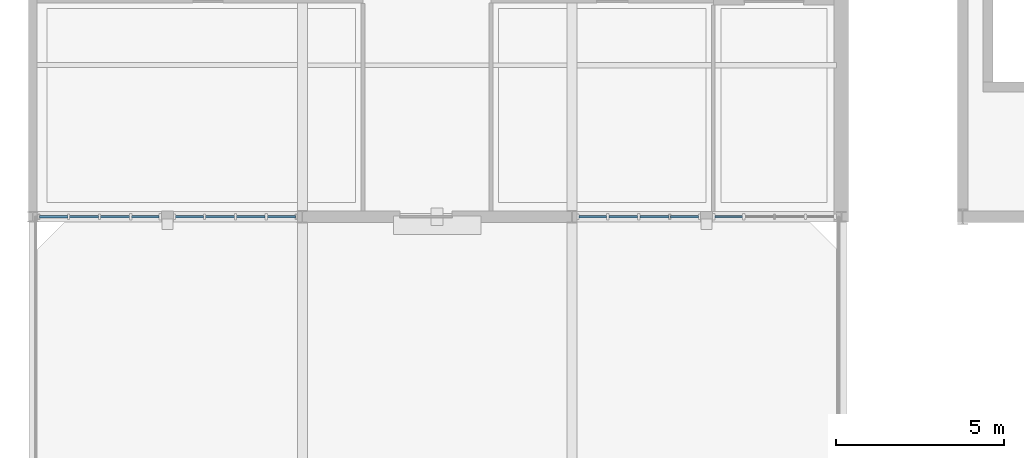
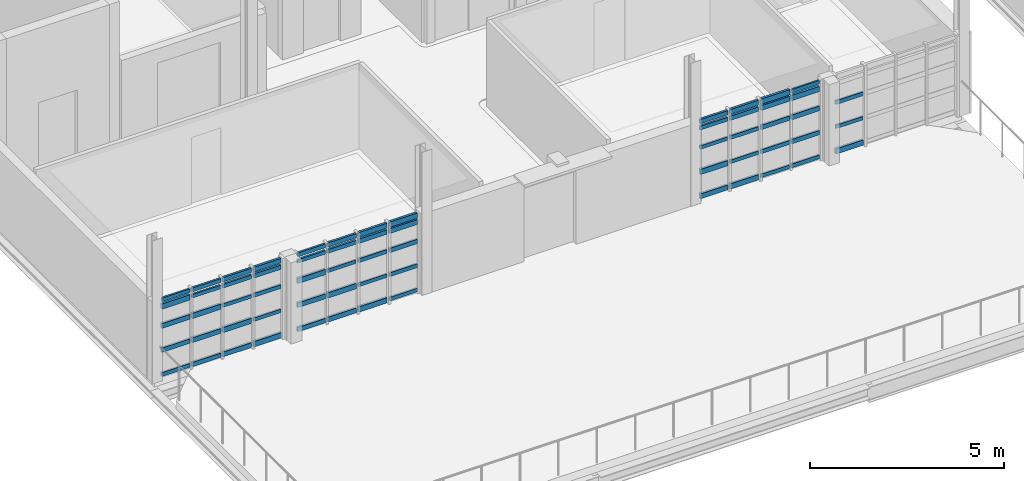
# One storey, part 17 of 44: 63 members, 4 elements without a shape of their own.
"""IFC4 building model written with IfcOpenShell, lengths in metres."""

from ifc_helpers import new_model, si_unit, direction, frame, origin, origin_2d, place, context, subcontext, project, spatial, rectangle, extrude, material, material_profile, profile_set, type_object, element, aggregate, save


model = new_model("IFC4")

# Units and contexts
model_context = context("Model", 3, precision=1e-05, world=origin(), true_north=direction((0.0, 1.0)))
body_context = subcontext(model_context, "Body", "Model", "MODEL_VIEW")
ifc_project = project(units=[si_unit("LENGTHUNIT", "METRE"), si_unit("AREAUNIT", "SQUARE_METRE"), si_unit("VOLUMEUNIT", "CUBIC_METRE"), si_unit("PLANEANGLEUNIT", "RADIAN"), si_unit("MASSUNIT", "GRAM", prefix="KILO")], contexts=[model_context])

# Site, building, storey
site_placement = place(None, origin())
site = spatial("IfcSite", under=ifc_project, at=site_placement, CompositionType="ELEMENT")
building_placement = place(site_placement, origin())
building = spatial("IfcBuilding", under=site, at=building_placement, Name="Serraforn Aerial Cableway Station", CompositionType="ELEMENT")
storey_placement = place(building_placement, frame((0.0, 0.0, 13.800048828125)))
storey = spatial("IfcBuildingStorey", under=building, at=storey_placement, Name="L03", CompositionType="ELEMENT", Elevation=13.800048828125)

# Curtain wall, members
ifc_material_1 = material(Name="Anodised bronze unitised curtain wall")
curtain_wall_type_1 = type_object("IfcCurtainWallType", Name="CW-SYS-7", PredefinedType="USERDEFINED", material=ifc_material_1)
curtain_wall_1_placement = place(storey_placement, origin())
curtain_wall_1 = element("IfcCurtainWall", 1, at=curtain_wall_1_placement, inside=storey, type_object=curtain_wall_type_1, Name="Unitised Curtain Wall CW-W-L03-S1A", ObjectType="UNITISED CURTAIN WALL", PredefinedType="USERDEFINED")
ifc_material_2 = material(Name="Anodised bronze extruded aluminium", Category="aluminium")
ifc_material_profile_1 = material_profile(ifc_material_2, rectangle(XDim=0.054931640625, YDim=0.110107421875, at=origin_2d()), Name="CW TRANSOM 55x110")
ifc_profile_set_1 = profile_set([ifc_material_profile_1], Name="Anodised bronze extruded aluminium")
member_type_1 = type_object("IfcMemberType", Name="CW-TRN-1", PredefinedType="USERDEFINED", material=ifc_profile_set_1)
member_1_placement = place(storey_placement, frame((0.200927734375, 18.0, 2.447998046875), z_axis=(1.0, 0.0, 0.0), x_axis=(0.0, 1.0, 0.0)))
member_1 = element("IfcMember", 2, at=member_1_placement, type_object=member_type_1, Name="Curtain Wall Transom CW-W-L03-S1A-T1-5", ObjectType="TRANSOM", PredefinedType="USERDEFINED", context=body_context, shape_type="SweptSolid", body=[
    extrude(rectangle(XDim=0.054931640625, YDim=0.110107421875, at=origin_2d()), origin(), (0.0, 0.0, 1.0), 0.837158203125),
])
member_2_placement = place(storey_placement, frame((1.093994140625, 18.0, 2.243896484375), z_axis=(1.0, 0.0, 0.0), x_axis=(0.0, 1.0, 0.0)))
member_2 = element("IfcMember", 3, at=member_2_placement, type_object=member_type_1, Name="Curtain Wall Transom CW-W-L03-S1A-T2-4", ObjectType="TRANSOM", PredefinedType="USERDEFINED", context=body_context, shape_type="SweptSolid", body=[
    extrude(rectangle(XDim=0.054931640625, YDim=0.110107421875, at=origin_2d()), origin(), (0.0, 0.0, 1.0), 0.859619140625),
])
member_3_placement = place(storey_placement, frame((2.014404296875, 18.0, 1.6318359375), z_axis=(1.0, 0.0, 0.0), x_axis=(0.0, 1.0, 0.0)))
member_3 = element("IfcMember", 4, at=member_3_placement, type_object=member_type_1, Name="Curtain Wall Transom CW-W-L03-S1A-T3-3", ObjectType="TRANSOM", PredefinedType="USERDEFINED", context=body_context, shape_type="SweptSolid", body=[
    extrude(rectangle(XDim=0.054931640625, YDim=0.110107421875, at=origin_2d()), origin(), (0.0, 0.0, 1.0), 0.8544921875),
])
member_4_placement = place(storey_placement, frame((2.93505859375, 18.0, 0.866943359375), z_axis=(1.0, 0.0, 0.0), x_axis=(0.0, 1.0, 0.0)))
member_4 = element("IfcMember", 5, at=member_4_placement, type_object=member_type_1, Name="Curtain Wall Transom CW-W-L03-S1A-T4-2", ObjectType="TRANSOM", PredefinedType="USERDEFINED", context=body_context, shape_type="SweptSolid", body=[
    extrude(rectangle(XDim=0.054931640625, YDim=0.110107421875, at=origin_2d()), origin(), (0.0, 0.0, 1.0), 0.81201171875),
])

curtain_wall_type_2 = type_object("IfcCurtainWallType", Name="CW-SYS-8", PredefinedType="USERDEFINED", material=ifc_material_1)
curtain_wall_2_placement = place(storey_placement, origin())
curtain_wall_2 = element("IfcCurtainWall", 6, at=curtain_wall_2_placement, inside=storey, type_object=curtain_wall_type_2, Name="Unitised Curtain Wall CW-W-L03-S1B", ObjectType="UNITISED CURTAIN WALL", PredefinedType="USERDEFINED")
member_5_placement = place(storey_placement, frame((4.238037109375, 18.0, 2.243896484375), z_axis=(1.0, 0.0, 0.0), x_axis=(0.0, 1.0, 0.0)))
member_5 = element("IfcMember", 7, at=member_5_placement, type_object=member_type_1, Name="Curtain Wall Transom CW-W-L03-S1B-T1-4", ObjectType="TRANSOM", PredefinedType="USERDEFINED", context=body_context, shape_type="SweptSolid", body=[
    extrude(rectangle(XDim=0.054931640625, YDim=0.110107421875, at=origin_2d()), origin(), (0.0, 0.0, 1.0), 0.829345703125),
])
member_6_placement = place(storey_placement, frame((5.12841796875, 18.0, 1.6318359375), z_axis=(1.0, 0.0, 0.0), x_axis=(0.0, 1.0, 0.0)))
member_6 = element("IfcMember", 8, at=member_6_placement, type_object=member_type_1, Name="Curtain Wall Transom CW-W-L03-S1B-T2-3", ObjectType="TRANSOM", PredefinedType="USERDEFINED", context=body_context, shape_type="SweptSolid", body=[
    extrude(rectangle(XDim=0.054931640625, YDim=0.110107421875, at=origin_2d()), origin(), (0.0, 0.0, 1.0), 0.8544921875),
])
member_7_placement = place(storey_placement, frame((6.049072265625, 18.0, 0.866943359375), z_axis=(1.0, 0.0, 0.0), x_axis=(0.0, 1.0, 0.0)))
member_7 = element("IfcMember", 9, at=member_7_placement, type_object=member_type_1, Name="Curtain Wall Transom CW-W-L03-S1B-T3-2", ObjectType="TRANSOM", PredefinedType="USERDEFINED", context=body_context, shape_type="SweptSolid", body=[
    extrude(rectangle(XDim=0.054931640625, YDim=0.110107421875, at=origin_2d()), origin(), (0.0, 0.0, 1.0), 0.849365234375),
])
member_8_placement = place(storey_placement, frame((6.969482421875, 18.0, 0.10205078125), z_axis=(1.0, 0.0, 0.0), x_axis=(0.0, 1.0, 0.0)))
member_8 = element("IfcMember", 10, at=member_8_placement, type_object=member_type_1, Name="Curtain Wall Transom CW-W-L03-S1B-T4-1", ObjectType="TRANSOM", PredefinedType="USERDEFINED", context=body_context, shape_type="SweptSolid", body=[
    extrude(rectangle(XDim=0.054931640625, YDim=0.110107421875, at=origin_2d()), origin(), (0.0, 0.0, 1.0), 0.82958984375),
])

curtain_wall_type_3 = type_object("IfcCurtainWallType", Name="CW-SYS-9", PredefinedType="USERDEFINED", material=ifc_material_1)
curtain_wall_3_placement = place(storey_placement, origin())
curtain_wall_3 = element("IfcCurtainWall", 11, at=curtain_wall_3_placement, inside=storey, type_object=curtain_wall_type_3, Name="Unitised Curtain Wall CW-W-L03-S3A", ObjectType="UNITISED CURTAIN WALL", PredefinedType="USERDEFINED")
member_9_placement = place(storey_placement, frame((16.2109375, 18.0, 1.6318359375), z_axis=(1.0, 0.0, 0.0), x_axis=(0.0, 1.0, 0.0)))
member_9 = element("IfcMember", 12, at=member_9_placement, type_object=member_type_1, Name="Curtain Wall Transom CW-W-L03-S3A-T1-3", ObjectType="TRANSOM", PredefinedType="USERDEFINED", context=body_context, shape_type="SweptSolid", body=[
    extrude(rectangle(XDim=0.054931640625, YDim=0.110107421875, at=origin_2d()), origin(), (0.0, 0.0, 1.0), 0.822021484375),
])
member_10_placement = place(storey_placement, frame((17.09912109375, 18.0, 0.866943359375), z_axis=(1.0, 0.0, 0.0), x_axis=(0.0, 1.0, 0.0)))
member_10 = element("IfcMember", 13, at=member_10_placement, type_object=member_type_1, Name="Curtain Wall Transom CW-W-L03-S3A-T2-2", ObjectType="TRANSOM", PredefinedType="USERDEFINED", context=body_context, shape_type="SweptSolid", body=[
    extrude(rectangle(XDim=0.054931640625, YDim=0.110107421875, at=origin_2d()), origin(), (0.0, 0.0, 1.0), 0.849365234375),
])
member_11_placement = place(storey_placement, frame((18.01953125, 18.0, 0.10205078125), z_axis=(1.0, 0.0, 0.0), x_axis=(0.0, 1.0, 0.0)))
member_11 = element("IfcMember", 14, at=member_11_placement, type_object=member_type_1, Name="Curtain Wall Transom CW-W-L03-S3A-T3-1", ObjectType="TRANSOM", PredefinedType="USERDEFINED", context=body_context, shape_type="SweptSolid", body=[
    extrude(rectangle(XDim=0.054931640625, YDim=0.110107421875, at=origin_2d()), origin(), (0.0, 0.0, 1.0), 0.85693359375),
])
member_12_placement = place(storey_placement, frame((18.927490234375, 18.0, 2.447998046875), z_axis=(1.0, 0.0, 0.0), x_axis=(0.0, 1.0, 0.0)))
member_12 = element("IfcMember", 15, at=member_12_placement, type_object=member_type_1, Name="Curtain Wall Transom CW-W-L03-S3A-T4-5", ObjectType="TRANSOM", PredefinedType="USERDEFINED", context=body_context, shape_type="SweptSolid", body=[
    extrude(rectangle(XDim=0.054931640625, YDim=0.110107421875, at=origin_2d()), origin(), (0.0, 0.0, 1.0), 0.83447265625),
])

# Curtain wall, member
curtain_wall_type_4 = type_object("IfcCurtainWallType", Name="CW-SYS-10", PredefinedType="USERDEFINED", material=ifc_material_1)
curtain_wall_4_placement = place(storey_placement, origin())
curtain_wall_4 = element("IfcCurtainWall", 16, at=curtain_wall_4_placement, inside=storey, type_object=curtain_wall_type_4, Name="Unitised Curtain Wall CW-W-L03-S3B", ObjectType="UNITISED CURTAIN WALL", PredefinedType="USERDEFINED")
member_13_placement = place(storey_placement, frame((20.248046875, 18.0, 0.866943359375), z_axis=(1.0, 0.0, 0.0), x_axis=(0.0, 1.0, 0.0)))
member_13 = element("IfcMember", 17, at=member_13_placement, type_object=member_type_1, Name="Curtain Wall Transom CW-W-L03-S3B-T1-2", ObjectType="TRANSOM", PredefinedType="USERDEFINED", context=body_context, shape_type="SweptSolid", body=[
    extrude(rectangle(XDim=0.054931640625, YDim=0.110107421875, at=origin_2d()), origin(), (0.0, 0.0, 1.0), 0.814453125),
])

# Member
ifc_material_profile_2 = material_profile(ifc_material_2, rectangle(XDim=0.06005859375, YDim=0.1201171875, at=origin_2d()), Name="CW TRANSOM 60x120")
ifc_profile_set_2 = profile_set([ifc_material_profile_2], Name="Anodised bronze extruded aluminium")
member_type_2 = type_object("IfcMemberType", Name="CW-TRN-2", PredefinedType="USERDEFINED", material=ifc_profile_set_2)
member_14_placement = place(storey_placement, frame((0.200927734375, 18.0, 0.10205078125), z_axis=(1.0, 0.0, 0.0), x_axis=(0.0, 1.0, 0.0)))
member_14 = element("IfcMember", 18, at=member_14_placement, type_object=member_type_2, Name="Curtain Wall Transom CW-W-L03-S1A-T1-1", ObjectType="TRANSOM", PredefinedType="USERDEFINED", context=body_context, shape_type="SweptSolid", body=[
    extrude(rectangle(XDim=0.06005859375, YDim=0.1201171875, at=origin_2d()), origin(), (0.0, 0.0, 1.0), 0.837158203125),
])

member_15_placement = place(storey_placement, frame((1.093994140625, 18.0, 2.447998046875), z_axis=(1.0, 0.0, 0.0), x_axis=(0.0, 1.0, 0.0)))
member_15 = element("IfcMember", 19, at=member_15_placement, type_object=member_type_2, Name="Curtain Wall Transom CW-W-L03-S1A-T2-5", ObjectType="TRANSOM", PredefinedType="USERDEFINED", context=body_context, shape_type="SweptSolid", body=[
    extrude(rectangle(XDim=0.06005859375, YDim=0.1201171875, at=origin_2d()), origin(), (0.0, 0.0, 1.0), 0.859619140625),
])

member_16_placement = place(storey_placement, frame((2.014404296875, 18.0, 2.243896484375), z_axis=(1.0, 0.0, 0.0), x_axis=(0.0, 1.0, 0.0)))
member_16 = element("IfcMember", 20, at=member_16_placement, type_object=member_type_2, Name="Curtain Wall Transom CW-W-L03-S1A-T3-4", ObjectType="TRANSOM", PredefinedType="USERDEFINED", context=body_context, shape_type="SweptSolid", body=[
    extrude(rectangle(XDim=0.06005859375, YDim=0.1201171875, at=origin_2d()), origin(), (0.0, 0.0, 1.0), 0.8544921875),
])

member_17_placement = place(storey_placement, frame((2.93505859375, 18.0, 1.6318359375), z_axis=(1.0, 0.0, 0.0), x_axis=(0.0, 1.0, 0.0)))
member_17 = element("IfcMember", 21, at=member_17_placement, type_object=member_type_2, Name="Curtain Wall Transom CW-W-L03-S1A-T4-3", ObjectType="TRANSOM", PredefinedType="USERDEFINED", context=body_context, shape_type="SweptSolid", body=[
    extrude(rectangle(XDim=0.06005859375, YDim=0.1201171875, at=origin_2d()), origin(), (0.0, 0.0, 1.0), 0.81201171875),
])

member_18_placement = place(storey_placement, frame((4.238037109375, 18.0, 2.447998046875), z_axis=(1.0, 0.0, 0.0), x_axis=(0.0, 1.0, 0.0)))
member_18 = element("IfcMember", 22, at=member_18_placement, type_object=member_type_2, Name="Curtain Wall Transom CW-W-L03-S1B-T1-5", ObjectType="TRANSOM", PredefinedType="USERDEFINED", context=body_context, shape_type="SweptSolid", body=[
    extrude(rectangle(XDim=0.06005859375, YDim=0.1201171875, at=origin_2d()), origin(), (0.0, 0.0, 1.0), 0.829345703125),
])

member_19_placement = place(storey_placement, frame((5.12841796875, 18.0, 2.243896484375), z_axis=(1.0, 0.0, 0.0), x_axis=(0.0, 1.0, 0.0)))
member_19 = element("IfcMember", 23, at=member_19_placement, type_object=member_type_2, Name="Curtain Wall Transom CW-W-L03-S1B-T2-4", ObjectType="TRANSOM", PredefinedType="USERDEFINED", context=body_context, shape_type="SweptSolid", body=[
    extrude(rectangle(XDim=0.06005859375, YDim=0.1201171875, at=origin_2d()), origin(), (0.0, 0.0, 1.0), 0.8544921875),
])

member_20_placement = place(storey_placement, frame((6.049072265625, 18.0, 1.6318359375), z_axis=(1.0, 0.0, 0.0), x_axis=(0.0, 1.0, 0.0)))
member_20 = element("IfcMember", 24, at=member_20_placement, type_object=member_type_2, Name="Curtain Wall Transom CW-W-L03-S1B-T3-3", ObjectType="TRANSOM", PredefinedType="USERDEFINED", context=body_context, shape_type="SweptSolid", body=[
    extrude(rectangle(XDim=0.06005859375, YDim=0.1201171875, at=origin_2d()), origin(), (0.0, 0.0, 1.0), 0.849365234375),
])

member_21_placement = place(storey_placement, frame((6.969482421875, 18.0, 0.866943359375), z_axis=(1.0, 0.0, 0.0), x_axis=(0.0, 1.0, 0.0)))
member_21 = element("IfcMember", 25, at=member_21_placement, type_object=member_type_2, Name="Curtain Wall Transom CW-W-L03-S1B-T4-2", ObjectType="TRANSOM", PredefinedType="USERDEFINED", context=body_context, shape_type="SweptSolid", body=[
    extrude(rectangle(XDim=0.06005859375, YDim=0.1201171875, at=origin_2d()), origin(), (0.0, 0.0, 1.0), 0.82958984375),
])

member_22_placement = place(storey_placement, frame((16.2109375, 18.0, 2.243896484375), z_axis=(1.0, 0.0, 0.0), x_axis=(0.0, 1.0, 0.0)))
member_22 = element("IfcMember", 26, at=member_22_placement, type_object=member_type_2, Name="Curtain Wall Transom CW-W-L03-S3A-T1-4", ObjectType="TRANSOM", PredefinedType="USERDEFINED", context=body_context, shape_type="SweptSolid", body=[
    extrude(rectangle(XDim=0.06005859375, YDim=0.1201171875, at=origin_2d()), origin(), (0.0, 0.0, 1.0), 0.822021484375),
])

member_23_placement = place(storey_placement, frame((17.09912109375, 18.0, 1.6318359375), z_axis=(1.0, 0.0, 0.0), x_axis=(0.0, 1.0, 0.0)))
member_23 = element("IfcMember", 27, at=member_23_placement, type_object=member_type_2, Name="Curtain Wall Transom CW-W-L03-S3A-T2-3", ObjectType="TRANSOM", PredefinedType="USERDEFINED", context=body_context, shape_type="SweptSolid", body=[
    extrude(rectangle(XDim=0.06005859375, YDim=0.1201171875, at=origin_2d()), origin(), (0.0, 0.0, 1.0), 0.849365234375),
])

member_24_placement = place(storey_placement, frame((18.01953125, 18.0, 0.866943359375), z_axis=(1.0, 0.0, 0.0), x_axis=(0.0, 1.0, 0.0)))
member_24 = element("IfcMember", 28, at=member_24_placement, type_object=member_type_2, Name="Curtain Wall Transom CW-W-L03-S3A-T3-2", ObjectType="TRANSOM", PredefinedType="USERDEFINED", context=body_context, shape_type="SweptSolid", body=[
    extrude(rectangle(XDim=0.06005859375, YDim=0.1201171875, at=origin_2d()), origin(), (0.0, 0.0, 1.0), 0.85693359375),
])

member_25_placement = place(storey_placement, frame((18.927490234375, 18.0, 0.10205078125), z_axis=(1.0, 0.0, 0.0), x_axis=(0.0, 1.0, 0.0)))
member_25 = element("IfcMember", 29, at=member_25_placement, type_object=member_type_2, Name="Curtain Wall Transom CW-W-L03-S3A-T4-1", ObjectType="TRANSOM", PredefinedType="USERDEFINED", context=body_context, shape_type="SweptSolid", body=[
    extrude(rectangle(XDim=0.06005859375, YDim=0.1201171875, at=origin_2d()), origin(), (0.0, 0.0, 1.0), 0.83447265625),
])

member_26_placement = place(storey_placement, frame((20.248046875, 18.0, 1.6318359375), z_axis=(1.0, 0.0, 0.0), x_axis=(0.0, 1.0, 0.0)))
member_26 = element("IfcMember", 30, at=member_26_placement, type_object=member_type_2, Name="Curtain Wall Transom CW-W-L03-S3B-T1-3", ObjectType="TRANSOM", PredefinedType="USERDEFINED", context=body_context, shape_type="SweptSolid", body=[
    extrude(rectangle(XDim=0.06005859375, YDim=0.1201171875, at=origin_2d()), origin(), (0.0, 0.0, 1.0), 0.814453125),
])

ifc_material_profile_3 = material_profile(ifc_material_2, rectangle(XDim=0.06494140625, YDim=0.135009765625, at=origin_2d()), Name="CW TRANSOM 65x135")
ifc_profile_set_3 = profile_set([ifc_material_profile_3], Name="Anodised bronze extruded aluminium")
member_type_3 = type_object("IfcMemberType", Name="CW-TRN-3", PredefinedType="USERDEFINED", material=ifc_profile_set_3)
member_27_placement = place(storey_placement, frame((0.200927734375, 18.0, 0.866943359375), z_axis=(1.0, 0.0, 0.0), x_axis=(0.0, 1.0, 0.0)))
member_27 = element("IfcMember", 31, at=member_27_placement, type_object=member_type_3, Name="Curtain Wall Transom CW-W-L03-S1A-T1-2", ObjectType="TRANSOM", PredefinedType="USERDEFINED", context=body_context, shape_type="SweptSolid", body=[
    extrude(rectangle(XDim=0.06494140625, YDim=0.135009765625, at=origin_2d()), origin(), (0.0, 0.0, 1.0), 0.837158203125),
])

member_28_placement = place(storey_placement, frame((1.093994140625, 18.0, 0.10205078125), z_axis=(1.0, 0.0, 0.0), x_axis=(0.0, 1.0, 0.0)))
member_28 = element("IfcMember", 32, at=member_28_placement, type_object=member_type_3, Name="Curtain Wall Transom CW-W-L03-S1A-T2-1", ObjectType="TRANSOM", PredefinedType="USERDEFINED", context=body_context, shape_type="SweptSolid", body=[
    extrude(rectangle(XDim=0.06494140625, YDim=0.135009765625, at=origin_2d()), origin(), (0.0, 0.0, 1.0), 0.859619140625),
])

member_29_placement = place(storey_placement, frame((2.014404296875, 18.0, 2.447998046875), z_axis=(1.0, 0.0, 0.0), x_axis=(0.0, 1.0, 0.0)))
member_29 = element("IfcMember", 33, at=member_29_placement, type_object=member_type_3, Name="Curtain Wall Transom CW-W-L03-S1A-T3-5", ObjectType="TRANSOM", PredefinedType="USERDEFINED", context=body_context, shape_type="SweptSolid", body=[
    extrude(rectangle(XDim=0.06494140625, YDim=0.135009765625, at=origin_2d()), origin(), (0.0, 0.0, 1.0), 0.8544921875),
])

member_30_placement = place(storey_placement, frame((2.93505859375, 18.0, 2.243896484375), z_axis=(1.0, 0.0, 0.0), x_axis=(0.0, 1.0, 0.0)))
member_30 = element("IfcMember", 34, at=member_30_placement, type_object=member_type_3, Name="Curtain Wall Transom CW-W-L03-S1A-T4-4", ObjectType="TRANSOM", PredefinedType="USERDEFINED", context=body_context, shape_type="SweptSolid", body=[
    extrude(rectangle(XDim=0.06494140625, YDim=0.135009765625, at=origin_2d()), origin(), (0.0, 0.0, 1.0), 0.81201171875),
])

member_31_placement = place(storey_placement, frame((4.238037109375, 18.0, 0.10205078125), z_axis=(1.0, 0.0, 0.0), x_axis=(0.0, 1.0, 0.0)))
member_31 = element("IfcMember", 35, at=member_31_placement, type_object=member_type_3, Name="Curtain Wall Transom CW-W-L03-S1B-T1-1", ObjectType="TRANSOM", PredefinedType="USERDEFINED", context=body_context, shape_type="SweptSolid", body=[
    extrude(rectangle(XDim=0.06494140625, YDim=0.135009765625, at=origin_2d()), origin(), (0.0, 0.0, 1.0), 0.829345703125),
])

member_32_placement = place(storey_placement, frame((5.12841796875, 18.0, 2.447998046875), z_axis=(1.0, 0.0, 0.0), x_axis=(0.0, 1.0, 0.0)))
member_32 = element("IfcMember", 36, at=member_32_placement, type_object=member_type_3, Name="Curtain Wall Transom CW-W-L03-S1B-T2-5", ObjectType="TRANSOM", PredefinedType="USERDEFINED", context=body_context, shape_type="SweptSolid", body=[
    extrude(rectangle(XDim=0.06494140625, YDim=0.135009765625, at=origin_2d()), origin(), (0.0, 0.0, 1.0), 0.8544921875),
])

member_33_placement = place(storey_placement, frame((6.049072265625, 18.0, 2.243896484375), z_axis=(1.0, 0.0, 0.0), x_axis=(0.0, 1.0, 0.0)))
member_33 = element("IfcMember", 37, at=member_33_placement, type_object=member_type_3, Name="Curtain Wall Transom CW-W-L03-S1B-T3-4", ObjectType="TRANSOM", PredefinedType="USERDEFINED", context=body_context, shape_type="SweptSolid", body=[
    extrude(rectangle(XDim=0.06494140625, YDim=0.135009765625, at=origin_2d()), origin(), (0.0, 0.0, 1.0), 0.849365234375),
])

member_34_placement = place(storey_placement, frame((6.969482421875, 18.0, 1.6318359375), z_axis=(1.0, 0.0, 0.0), x_axis=(0.0, 1.0, 0.0)))
member_34 = element("IfcMember", 38, at=member_34_placement, type_object=member_type_3, Name="Curtain Wall Transom CW-W-L03-S1B-T4-3", ObjectType="TRANSOM", PredefinedType="USERDEFINED", context=body_context, shape_type="SweptSolid", body=[
    extrude(rectangle(XDim=0.06494140625, YDim=0.135009765625, at=origin_2d()), origin(), (0.0, 0.0, 1.0), 0.82958984375),
])

member_35_placement = place(storey_placement, frame((16.2109375, 18.0, 2.447998046875), z_axis=(1.0, 0.0, 0.0), x_axis=(0.0, 1.0, 0.0)))
member_35 = element("IfcMember", 39, at=member_35_placement, type_object=member_type_3, Name="Curtain Wall Transom CW-W-L03-S3A-T1-5", ObjectType="TRANSOM", PredefinedType="USERDEFINED", context=body_context, shape_type="SweptSolid", body=[
    extrude(rectangle(XDim=0.06494140625, YDim=0.135009765625, at=origin_2d()), origin(), (0.0, 0.0, 1.0), 0.822021484375),
])

member_36_placement = place(storey_placement, frame((17.09912109375, 18.0, 2.243896484375), z_axis=(1.0, 0.0, 0.0), x_axis=(0.0, 1.0, 0.0)))
member_36 = element("IfcMember", 40, at=member_36_placement, type_object=member_type_3, Name="Curtain Wall Transom CW-W-L03-S3A-T2-4", ObjectType="TRANSOM", PredefinedType="USERDEFINED", context=body_context, shape_type="SweptSolid", body=[
    extrude(rectangle(XDim=0.06494140625, YDim=0.135009765625, at=origin_2d()), origin(), (0.0, 0.0, 1.0), 0.849365234375),
])

member_37_placement = place(storey_placement, frame((18.01953125, 18.0, 1.6318359375), z_axis=(1.0, 0.0, 0.0), x_axis=(0.0, 1.0, 0.0)))
member_37 = element("IfcMember", 41, at=member_37_placement, type_object=member_type_3, Name="Curtain Wall Transom CW-W-L03-S3A-T3-3", ObjectType="TRANSOM", PredefinedType="USERDEFINED", context=body_context, shape_type="SweptSolid", body=[
    extrude(rectangle(XDim=0.06494140625, YDim=0.135009765625, at=origin_2d()), origin(), (0.0, 0.0, 1.0), 0.85693359375),
])

member_38_placement = place(storey_placement, frame((18.927490234375, 18.0, 0.866943359375), z_axis=(1.0, 0.0, 0.0), x_axis=(0.0, 1.0, 0.0)))
member_38 = element("IfcMember", 42, at=member_38_placement, type_object=member_type_3, Name="Curtain Wall Transom CW-W-L03-S3A-T4-2", ObjectType="TRANSOM", PredefinedType="USERDEFINED", context=body_context, shape_type="SweptSolid", body=[
    extrude(rectangle(XDim=0.06494140625, YDim=0.135009765625, at=origin_2d()), origin(), (0.0, 0.0, 1.0), 0.83447265625),
])

ifc_material_profile_4 = material_profile(ifc_material_2, rectangle(XDim=0.070068359375, YDim=0.14990234375, at=origin_2d()), Name="CW TRANSOM 70x150")
ifc_profile_set_4 = profile_set([ifc_material_profile_4], Name="Anodised bronze extruded aluminium")
member_type_4 = type_object("IfcMemberType", Name="CW-TRN-4", PredefinedType="USERDEFINED", material=ifc_profile_set_4)
member_39_placement = place(storey_placement, frame((0.200927734375, 18.0, 1.6318359375), z_axis=(1.0, 0.0, 0.0), x_axis=(0.0, 1.0, 0.0)))
member_39 = element("IfcMember", 43, at=member_39_placement, type_object=member_type_4, Name="Curtain Wall Transom CW-W-L03-S1A-T1-3", ObjectType="TRANSOM", PredefinedType="USERDEFINED", context=body_context, shape_type="SweptSolid", body=[
    extrude(rectangle(XDim=0.070068359375, YDim=0.14990234375, at=origin_2d()), origin(), (0.0, 0.0, 1.0), 0.837158203125),
])

member_40_placement = place(storey_placement, frame((1.093994140625, 18.0, 0.866943359375), z_axis=(1.0, 0.0, 0.0), x_axis=(0.0, 1.0, 0.0)))
member_40 = element("IfcMember", 44, at=member_40_placement, type_object=member_type_4, Name="Curtain Wall Transom CW-W-L03-S1A-T2-2", ObjectType="TRANSOM", PredefinedType="USERDEFINED", context=body_context, shape_type="SweptSolid", body=[
    extrude(rectangle(XDim=0.070068359375, YDim=0.14990234375, at=origin_2d()), origin(), (0.0, 0.0, 1.0), 0.859619140625),
])

member_41_placement = place(storey_placement, frame((2.014404296875, 18.0, 0.10205078125), z_axis=(1.0, 0.0, 0.0), x_axis=(0.0, 1.0, 0.0)))
member_41 = element("IfcMember", 45, at=member_41_placement, type_object=member_type_4, Name="Curtain Wall Transom CW-W-L03-S1A-T3-1", ObjectType="TRANSOM", PredefinedType="USERDEFINED", context=body_context, shape_type="SweptSolid", body=[
    extrude(rectangle(XDim=0.070068359375, YDim=0.14990234375, at=origin_2d()), origin(), (0.0, 0.0, 1.0), 0.8544921875),
])

member_42_placement = place(storey_placement, frame((2.93505859375, 18.0, 2.447998046875), z_axis=(1.0, 0.0, 0.0), x_axis=(0.0, 1.0, 0.0)))
member_42 = element("IfcMember", 46, at=member_42_placement, type_object=member_type_4, Name="Curtain Wall Transom CW-W-L03-S1A-T4-5", ObjectType="TRANSOM", PredefinedType="USERDEFINED", context=body_context, shape_type="SweptSolid", body=[
    extrude(rectangle(XDim=0.070068359375, YDim=0.14990234375, at=origin_2d()), origin(), (0.0, 0.0, 1.0), 0.81201171875),
])

member_43_placement = place(storey_placement, frame((4.238037109375, 18.0, 0.866943359375), z_axis=(1.0, 0.0, 0.0), x_axis=(0.0, 1.0, 0.0)))
member_43 = element("IfcMember", 47, at=member_43_placement, type_object=member_type_4, Name="Curtain Wall Transom CW-W-L03-S1B-T1-2", ObjectType="TRANSOM", PredefinedType="USERDEFINED", context=body_context, shape_type="SweptSolid", body=[
    extrude(rectangle(XDim=0.070068359375, YDim=0.14990234375, at=origin_2d()), origin(), (0.0, 0.0, 1.0), 0.829345703125),
])

member_44_placement = place(storey_placement, frame((5.12841796875, 18.0, 0.10205078125), z_axis=(1.0, 0.0, 0.0), x_axis=(0.0, 1.0, 0.0)))
member_44 = element("IfcMember", 48, at=member_44_placement, type_object=member_type_4, Name="Curtain Wall Transom CW-W-L03-S1B-T2-1", ObjectType="TRANSOM", PredefinedType="USERDEFINED", context=body_context, shape_type="SweptSolid", body=[
    extrude(rectangle(XDim=0.070068359375, YDim=0.14990234375, at=origin_2d()), origin(), (0.0, 0.0, 1.0), 0.8544921875),
])

member_45_placement = place(storey_placement, frame((6.049072265625, 18.0, 2.447998046875), z_axis=(1.0, 0.0, 0.0), x_axis=(0.0, 1.0, 0.0)))
member_45 = element("IfcMember", 49, at=member_45_placement, type_object=member_type_4, Name="Curtain Wall Transom CW-W-L03-S1B-T3-5", ObjectType="TRANSOM", PredefinedType="USERDEFINED", context=body_context, shape_type="SweptSolid", body=[
    extrude(rectangle(XDim=0.070068359375, YDim=0.14990234375, at=origin_2d()), origin(), (0.0, 0.0, 1.0), 0.849365234375),
])

member_46_placement = place(storey_placement, frame((6.969482421875, 18.0, 2.243896484375), z_axis=(1.0, 0.0, 0.0), x_axis=(0.0, 1.0, 0.0)))
member_46 = element("IfcMember", 50, at=member_46_placement, type_object=member_type_4, Name="Curtain Wall Transom CW-W-L03-S1B-T4-4", ObjectType="TRANSOM", PredefinedType="USERDEFINED", context=body_context, shape_type="SweptSolid", body=[
    extrude(rectangle(XDim=0.070068359375, YDim=0.14990234375, at=origin_2d()), origin(), (0.0, 0.0, 1.0), 0.82958984375),
])

member_47_placement = place(storey_placement, frame((16.2109375, 18.0, 0.10205078125), z_axis=(1.0, 0.0, 0.0), x_axis=(0.0, 1.0, 0.0)))
member_47 = element("IfcMember", 51, at=member_47_placement, type_object=member_type_4, Name="Curtain Wall Transom CW-W-L03-S3A-T1-1", ObjectType="TRANSOM", PredefinedType="USERDEFINED", context=body_context, shape_type="SweptSolid", body=[
    extrude(rectangle(XDim=0.070068359375, YDim=0.14990234375, at=origin_2d()), origin(), (0.0, 0.0, 1.0), 0.822021484375),
])

member_48_placement = place(storey_placement, frame((17.09912109375, 18.0, 2.447998046875), z_axis=(1.0, 0.0, 0.0), x_axis=(0.0, 1.0, 0.0)))
member_48 = element("IfcMember", 52, at=member_48_placement, type_object=member_type_4, Name="Curtain Wall Transom CW-W-L03-S3A-T2-5", ObjectType="TRANSOM", PredefinedType="USERDEFINED", context=body_context, shape_type="SweptSolid", body=[
    extrude(rectangle(XDim=0.070068359375, YDim=0.14990234375, at=origin_2d()), origin(), (0.0, 0.0, 1.0), 0.849365234375),
])

member_49_placement = place(storey_placement, frame((18.01953125, 18.0, 2.243896484375), z_axis=(1.0, 0.0, 0.0), x_axis=(0.0, 1.0, 0.0)))
member_49 = element("IfcMember", 53, at=member_49_placement, type_object=member_type_4, Name="Curtain Wall Transom CW-W-L03-S3A-T3-4", ObjectType="TRANSOM", PredefinedType="USERDEFINED", context=body_context, shape_type="SweptSolid", body=[
    extrude(rectangle(XDim=0.070068359375, YDim=0.14990234375, at=origin_2d()), origin(), (0.0, 0.0, 1.0), 0.85693359375),
])

member_50_placement = place(storey_placement, frame((18.927490234375, 18.0, 1.6318359375), z_axis=(1.0, 0.0, 0.0), x_axis=(0.0, 1.0, 0.0)))
member_50 = element("IfcMember", 54, at=member_50_placement, type_object=member_type_4, Name="Curtain Wall Transom CW-W-L03-S3A-T4-3", ObjectType="TRANSOM", PredefinedType="USERDEFINED", context=body_context, shape_type="SweptSolid", body=[
    extrude(rectangle(XDim=0.070068359375, YDim=0.14990234375, at=origin_2d()), origin(), (0.0, 0.0, 1.0), 0.83447265625),
])

ifc_material_profile_5 = material_profile(ifc_material_2, rectangle(XDim=0.074951171875, YDim=0.1650390625, at=origin_2d()), Name="CW TRANSOM 75x165")
ifc_profile_set_5 = profile_set([ifc_material_profile_5], Name="Anodised bronze extruded aluminium")
member_type_5 = type_object("IfcMemberType", Name="CW-TRN-5", PredefinedType="USERDEFINED", material=ifc_profile_set_5)
member_51_placement = place(storey_placement, frame((0.200927734375, 18.0, 2.243896484375), z_axis=(1.0, 0.0, 0.0), x_axis=(0.0, 1.0, 0.0)))
member_51 = element("IfcMember", 55, at=member_51_placement, type_object=member_type_5, Name="Curtain Wall Transom CW-W-L03-S1A-T1-4", ObjectType="TRANSOM", PredefinedType="USERDEFINED", context=body_context, shape_type="SweptSolid", body=[
    extrude(rectangle(XDim=0.074951171875, YDim=0.1650390625, at=origin_2d()), origin(), (0.0, 0.0, 1.0), 0.837158203125),
])

member_52_placement = place(storey_placement, frame((1.093994140625, 18.0, 1.6318359375), z_axis=(1.0, 0.0, 0.0), x_axis=(0.0, 1.0, 0.0)))
member_52 = element("IfcMember", 56, at=member_52_placement, type_object=member_type_5, Name="Curtain Wall Transom CW-W-L03-S1A-T2-3", ObjectType="TRANSOM", PredefinedType="USERDEFINED", context=body_context, shape_type="SweptSolid", body=[
    extrude(rectangle(XDim=0.074951171875, YDim=0.1650390625, at=origin_2d()), origin(), (0.0, 0.0, 1.0), 0.859619140625),
])

member_53_placement = place(storey_placement, frame((2.014404296875, 18.0, 0.866943359375), z_axis=(1.0, 0.0, 0.0), x_axis=(0.0, 1.0, 0.0)))
member_53 = element("IfcMember", 57, at=member_53_placement, type_object=member_type_5, Name="Curtain Wall Transom CW-W-L03-S1A-T3-2", ObjectType="TRANSOM", PredefinedType="USERDEFINED", context=body_context, shape_type="SweptSolid", body=[
    extrude(rectangle(XDim=0.074951171875, YDim=0.1650390625, at=origin_2d()), origin(), (0.0, 0.0, 1.0), 0.8544921875),
])

member_54_placement = place(storey_placement, frame((2.93505859375, 18.0, 0.10205078125), z_axis=(1.0, 0.0, 0.0), x_axis=(0.0, 1.0, 0.0)))
member_54 = element("IfcMember", 58, at=member_54_placement, type_object=member_type_5, Name="Curtain Wall Transom CW-W-L03-S1A-T4-1", ObjectType="TRANSOM", PredefinedType="USERDEFINED", context=body_context, shape_type="SweptSolid", body=[
    extrude(rectangle(XDim=0.074951171875, YDim=0.1650390625, at=origin_2d()), origin(), (0.0, 0.0, 1.0), 0.81201171875),
])

aggregate(curtain_wall_1, [member_14, member_27, member_39, member_51, member_1, member_28, member_40, member_52, member_2, member_15, member_41, member_53, member_3, member_16, member_29, member_54, member_4, member_17, member_30, member_42])

member_55_placement = place(storey_placement, frame((4.238037109375, 18.0, 1.6318359375), z_axis=(1.0, 0.0, 0.0), x_axis=(0.0, 1.0, 0.0)))
member_55 = element("IfcMember", 59, at=member_55_placement, type_object=member_type_5, Name="Curtain Wall Transom CW-W-L03-S1B-T1-3", ObjectType="TRANSOM", PredefinedType="USERDEFINED", context=body_context, shape_type="SweptSolid", body=[
    extrude(rectangle(XDim=0.074951171875, YDim=0.1650390625, at=origin_2d()), origin(), (0.0, 0.0, 1.0), 0.829345703125),
])

member_56_placement = place(storey_placement, frame((5.12841796875, 18.0, 0.866943359375), z_axis=(1.0, 0.0, 0.0), x_axis=(0.0, 1.0, 0.0)))
member_56 = element("IfcMember", 60, at=member_56_placement, type_object=member_type_5, Name="Curtain Wall Transom CW-W-L03-S1B-T2-2", ObjectType="TRANSOM", PredefinedType="USERDEFINED", context=body_context, shape_type="SweptSolid", body=[
    extrude(rectangle(XDim=0.074951171875, YDim=0.1650390625, at=origin_2d()), origin(), (0.0, 0.0, 1.0), 0.8544921875),
])

member_57_placement = place(storey_placement, frame((6.049072265625, 18.0, 0.10205078125), z_axis=(1.0, 0.0, 0.0), x_axis=(0.0, 1.0, 0.0)))
member_57 = element("IfcMember", 61, at=member_57_placement, type_object=member_type_5, Name="Curtain Wall Transom CW-W-L03-S1B-T3-1", ObjectType="TRANSOM", PredefinedType="USERDEFINED", context=body_context, shape_type="SweptSolid", body=[
    extrude(rectangle(XDim=0.074951171875, YDim=0.1650390625, at=origin_2d()), origin(), (0.0, 0.0, 1.0), 0.849365234375),
])

member_58_placement = place(storey_placement, frame((6.969482421875, 18.0, 2.447998046875), z_axis=(1.0, 0.0, 0.0), x_axis=(0.0, 1.0, 0.0)))
member_58 = element("IfcMember", 62, at=member_58_placement, type_object=member_type_5, Name="Curtain Wall Transom CW-W-L03-S1B-T4-5", ObjectType="TRANSOM", PredefinedType="USERDEFINED", context=body_context, shape_type="SweptSolid", body=[
    extrude(rectangle(XDim=0.074951171875, YDim=0.1650390625, at=origin_2d()), origin(), (0.0, 0.0, 1.0), 0.82958984375),
])

aggregate(curtain_wall_2, [member_31, member_43, member_55, member_5, member_18, member_44, member_56, member_6, member_19, member_32, member_57, member_7, member_20, member_33, member_45, member_8, member_21, member_34, member_46, member_58])

member_59_placement = place(storey_placement, frame((16.2109375, 18.0, 0.866943359375), z_axis=(1.0, 0.0, 0.0), x_axis=(0.0, 1.0, 0.0)))
member_59 = element("IfcMember", 63, at=member_59_placement, type_object=member_type_5, Name="Curtain Wall Transom CW-W-L03-S3A-T1-2", ObjectType="TRANSOM", PredefinedType="USERDEFINED", context=body_context, shape_type="SweptSolid", body=[
    extrude(rectangle(XDim=0.074951171875, YDim=0.1650390625, at=origin_2d()), origin(), (0.0, 0.0, 1.0), 0.822021484375),
])

member_60_placement = place(storey_placement, frame((17.09912109375, 18.0, 0.10205078125), z_axis=(1.0, 0.0, 0.0), x_axis=(0.0, 1.0, 0.0)))
member_60 = element("IfcMember", 64, at=member_60_placement, type_object=member_type_5, Name="Curtain Wall Transom CW-W-L03-S3A-T2-1", ObjectType="TRANSOM", PredefinedType="USERDEFINED", context=body_context, shape_type="SweptSolid", body=[
    extrude(rectangle(XDim=0.074951171875, YDim=0.1650390625, at=origin_2d()), origin(), (0.0, 0.0, 1.0), 0.849365234375),
])

member_61_placement = place(storey_placement, frame((18.01953125, 18.0, 2.447998046875), z_axis=(1.0, 0.0, 0.0), x_axis=(0.0, 1.0, 0.0)))
member_61 = element("IfcMember", 65, at=member_61_placement, type_object=member_type_5, Name="Curtain Wall Transom CW-W-L03-S3A-T3-5", ObjectType="TRANSOM", PredefinedType="USERDEFINED", context=body_context, shape_type="SweptSolid", body=[
    extrude(rectangle(XDim=0.074951171875, YDim=0.1650390625, at=origin_2d()), origin(), (0.0, 0.0, 1.0), 0.85693359375),
])

member_62_placement = place(storey_placement, frame((18.927490234375, 18.0, 2.243896484375), z_axis=(1.0, 0.0, 0.0), x_axis=(0.0, 1.0, 0.0)))
member_62 = element("IfcMember", 66, at=member_62_placement, type_object=member_type_5, Name="Curtain Wall Transom CW-W-L03-S3A-T4-4", ObjectType="TRANSOM", PredefinedType="USERDEFINED", context=body_context, shape_type="SweptSolid", body=[
    extrude(rectangle(XDim=0.074951171875, YDim=0.1650390625, at=origin_2d()), origin(), (0.0, 0.0, 1.0), 0.83447265625),
])

aggregate(curtain_wall_3, [member_47, member_59, member_9, member_22, member_35, member_60, member_10, member_23, member_36, member_48, member_11, member_24, member_37, member_49, member_61, member_25, member_38, member_50, member_62, member_12])

member_63_placement = place(storey_placement, frame((20.248046875, 18.0, 0.10205078125), z_axis=(1.0, 0.0, 0.0), x_axis=(0.0, 1.0, 0.0)))
member_63 = element("IfcMember", 67, at=member_63_placement, type_object=member_type_5, Name="Curtain Wall Transom CW-W-L03-S3B-T1-1", ObjectType="TRANSOM", PredefinedType="USERDEFINED", context=body_context, shape_type="SweptSolid", body=[
    extrude(rectangle(XDim=0.074951171875, YDim=0.1650390625, at=origin_2d()), origin(), (0.0, 0.0, 1.0), 0.814453125),
])

aggregate(curtain_wall_4, [member_63, member_13, member_26])

save(model, "model.ifc")
